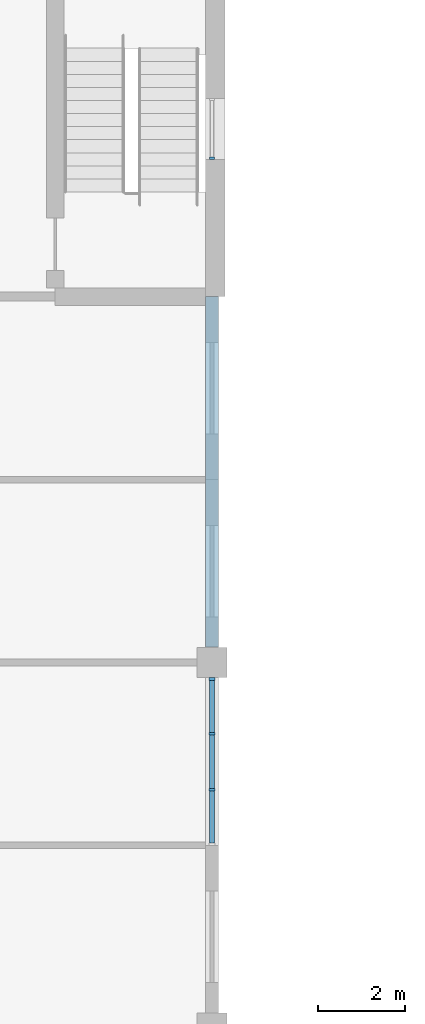
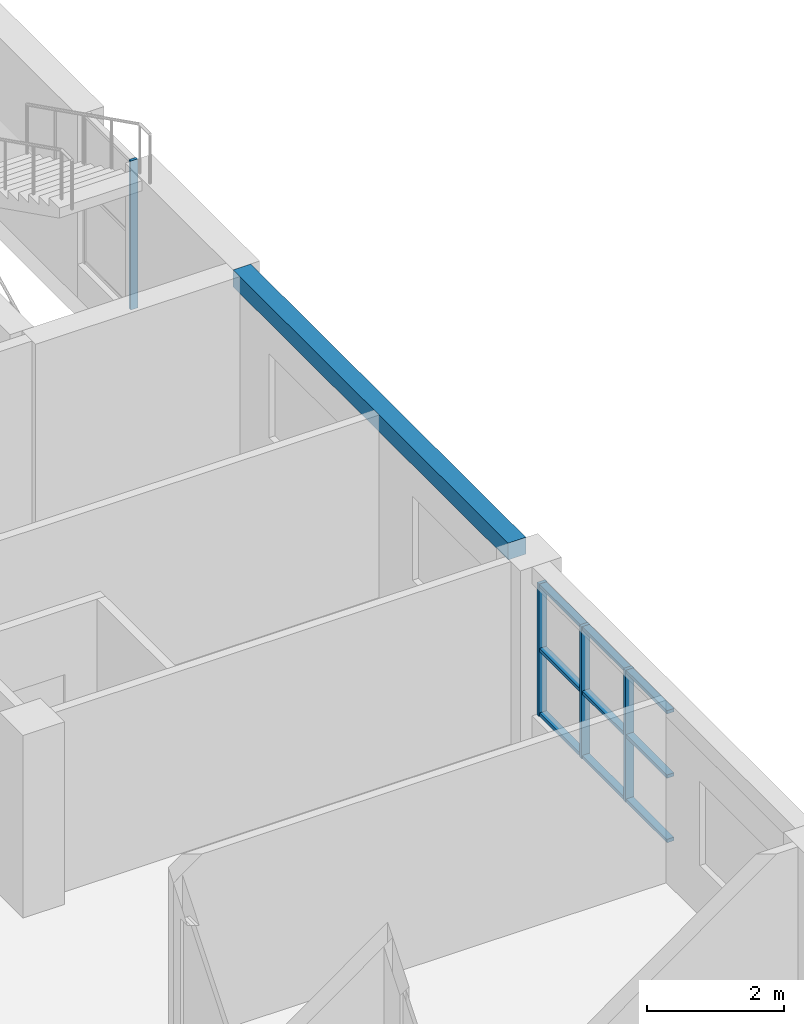
# One storey, part 10 of 45: 13 members, 1 beam, 2 elements without a shape of their own.
"""IFC4 building model written with IfcOpenShell, lengths in metres."""

from ifc_helpers import new_model, si_unit, direction, frame, origin, origin_2d, place, context, subcontext, project, spatial, rectangle, extrude, material, material_profile, profile_set, type_object, element, aggregate, save


model = new_model("IFC4")

# Units and contexts
model_context = context("Model", 3, precision=1e-05, world=origin(), true_north=direction((0.0, 1.0)))
body_context = subcontext(model_context, "Body", "Model", "MODEL_VIEW")
ifc_project = project(units=[si_unit("LENGTHUNIT", "METRE"), si_unit("AREAUNIT", "SQUARE_METRE"), si_unit("VOLUMEUNIT", "CUBIC_METRE"), si_unit("PLANEANGLEUNIT", "RADIAN"), si_unit("MASSUNIT", "GRAM", prefix="KILO")], contexts=[model_context])

# Site, building, storey
site_placement = place(None, origin())
site = spatial("IfcSite", under=ifc_project, at=site_placement, CompositionType="ELEMENT")
building_placement = place(site_placement, origin())
building = spatial("IfcBuilding", under=site, at=building_placement, Name="Yavir Park General Hospital", CompositionType="ELEMENT")
storey_placement = place(building_placement, frame((0.0, 0.0, 22.5)))
storey = spatial("IfcBuildingStorey", under=building, at=storey_placement, Name="L05", CompositionType="ELEMENT", Elevation=22.5)

# Curtain wall, members
ifc_material_1 = material(Name="Aluminium curtain wall frame with insulated glazing", Category="aluminium")
curtain_wall_type_1 = type_object("IfcCurtainWallType", Name="Day room pocket glazing, ward floors, 2360 high, 1400 module", PredefinedType="NOTDEFINED", material=ifc_material_1)
curtain_wall_1_placement = place(storey_placement, origin())
curtain_wall_1 = element("IfcCurtainWall", 1, at=curtain_wall_1_placement, inside=storey, type_object=curtain_wall_type_1, Name="CW6 L05-022", PredefinedType="NOTDEFINED")
ifc_material_2 = material(Name="Aluminium", Category="aluminium")
ifc_material_profile_1 = material_profile(ifc_material_2, rectangle(XDim=0.139892578125, YDim=0.06005859375, at=origin_2d()), Name="AL 60x140")
ifc_profile_set_1 = profile_set([ifc_material_profile_1], Name="Aluminium")
member_type_1 = type_object("IfcMemberType", Name="Day room pocket glazing, ward floors, 2360 high mullion 60 x 140", PredefinedType="MULLION", material=ifc_profile_set_1)
member_1_placement = place(storey_placement, frame((25.199951171875, 64.283447265625, 0.60009765625), z_axis=(0.0, 0.0, 1.0), x_axis=(-1.0, 0.0, 0.0)))
member_1 = element("IfcMember", 2, at=member_1_placement, type_object=member_type_1, Name="CW6 mullion 2", PredefinedType="MULLION", context=body_context, shape_type="SweptSolid", body=[
    extrude(rectangle(XDim=0.139892578125, YDim=0.06005859375, at=origin_2d()), origin(), (0.0, 0.0, 1.0), 2.35986328125),
])
member_2_placement = place(storey_placement, frame((25.199951171875, 65.566650390625, 0.60009765625), z_axis=(0.0, 0.0, 1.0), x_axis=(-1.0, 0.0, 0.0)))
member_2 = element("IfcMember", 3, at=member_2_placement, type_object=member_type_1, Name="CW6 mullion 3", PredefinedType="MULLION", context=body_context, shape_type="SweptSolid", body=[
    extrude(rectangle(XDim=0.139892578125, YDim=0.06005859375, at=origin_2d()), origin(), (0.0, 0.0, 1.0), 2.35986328125),
])
member_3_placement = place(storey_placement, frame((25.199951171875, 66.820068359375, 0.60009765625), z_axis=(0.0, 0.0, 1.0), x_axis=(-1.0, 0.0, 0.0)))
member_3 = element("IfcMember", 4, at=member_3_placement, type_object=member_type_1, Name="CW6 mullion 4", PredefinedType="MULLION", context=body_context, shape_type="SweptSolid", body=[
    extrude(rectangle(XDim=0.139892578125, YDim=0.06005859375, at=origin_2d()), origin(), (0.0, 0.0, 1.0), 2.35986328125),
])
ifc_material_3 = material(Name="Aluminium", Category="aluminium")
ifc_material_profile_2 = material_profile(ifc_material_3, rectangle(XDim=0.1201171875, YDim=0.06005859375, at=origin_2d()), Name="AL 120x60")
ifc_profile_set_2 = profile_set([ifc_material_profile_2], Name="Aluminium")
member_type_2 = type_object("IfcMemberType", Name="Day room pocket glazing, ward floors, 2360 high transom 60 x 120", PredefinedType="MULLION", material=ifc_profile_set_2)
member_4_placement = place(storey_placement, frame((25.199951171875, 63.06005859375, 0.6298828125), z_axis=(0.0, 1.0, 0.0), x_axis=(-1.0, 0.0, 0.0)))
member_4 = element("IfcMember", 5, at=member_4_placement, type_object=member_type_2, Name="CW6 transom 1.1", PredefinedType="MULLION", context=body_context, shape_type="SweptSolid", body=[
    extrude(rectangle(XDim=0.1201171875, YDim=0.06005859375, at=origin_2d()), origin(), (0.0, 0.0, 1.0), 1.193359375),
])
member_5_placement = place(storey_placement, frame((25.199951171875, 63.06005859375, 1.780029296875), z_axis=(0.0, 1.0, 0.0), x_axis=(-1.0, 0.0, 0.0)))
member_5 = element("IfcMember", 6, at=member_5_placement, type_object=member_type_2, Name="CW6 transom 1.2", PredefinedType="MULLION", context=body_context, shape_type="SweptSolid", body=[
    extrude(rectangle(XDim=0.1201171875, YDim=0.06005859375, at=origin_2d()), origin(), (0.0, 0.0, 1.0), 1.193359375),
])
member_6_placement = place(storey_placement, frame((25.199951171875, 63.06005859375, 2.929931640625), z_axis=(0.0, 1.0, 0.0), x_axis=(-1.0, 0.0, 0.0)))
member_6 = element("IfcMember", 7, at=member_6_placement, type_object=member_type_2, Name="CW6 transom 1.3", PredefinedType="MULLION", context=body_context, shape_type="SweptSolid", body=[
    extrude(rectangle(XDim=0.1201171875, YDim=0.06005859375, at=origin_2d()), origin(), (0.0, 0.0, 1.0), 1.193359375),
])
member_7_placement = place(storey_placement, frame((25.199951171875, 64.313232421875, 0.6298828125), z_axis=(0.0, 1.0, 0.0), x_axis=(-1.0, 0.0, 0.0)))
member_7 = element("IfcMember", 8, at=member_7_placement, type_object=member_type_2, Name="CW6 transom 2.1", PredefinedType="MULLION", context=body_context, shape_type="SweptSolid", body=[
    extrude(rectangle(XDim=0.1201171875, YDim=0.06005859375, at=origin_2d()), origin(), (0.0, 0.0, 1.0), 1.223388671875),
])
member_8_placement = place(storey_placement, frame((25.199951171875, 64.313232421875, 1.780029296875), z_axis=(0.0, 1.0, 0.0), x_axis=(-1.0, 0.0, 0.0)))
member_8 = element("IfcMember", 9, at=member_8_placement, type_object=member_type_2, Name="CW6 transom 2.2", PredefinedType="MULLION", context=body_context, shape_type="SweptSolid", body=[
    extrude(rectangle(XDim=0.1201171875, YDim=0.06005859375, at=origin_2d()), origin(), (0.0, 0.0, 1.0), 1.223388671875),
])
member_9_placement = place(storey_placement, frame((25.199951171875, 64.313232421875, 2.929931640625), z_axis=(0.0, 1.0, 0.0), x_axis=(-1.0, 0.0, 0.0)))
member_9 = element("IfcMember", 10, at=member_9_placement, type_object=member_type_2, Name="CW6 transom 2.3", PredefinedType="MULLION", context=body_context, shape_type="SweptSolid", body=[
    extrude(rectangle(XDim=0.1201171875, YDim=0.06005859375, at=origin_2d()), origin(), (0.0, 0.0, 1.0), 1.223388671875),
])
member_10_placement = place(storey_placement, frame((25.199951171875, 65.5966796875, 0.6298828125), z_axis=(0.0, 1.0, 0.0), x_axis=(-1.0, 0.0, 0.0)))
member_10 = element("IfcMember", 11, at=member_10_placement, type_object=member_type_2, Name="CW6 transom 3.1", PredefinedType="MULLION", context=body_context, shape_type="SweptSolid", body=[
    extrude(rectangle(XDim=0.1201171875, YDim=0.06005859375, at=origin_2d()), origin(), (0.0, 0.0, 1.0), 1.193359375),
])
member_11_placement = place(storey_placement, frame((25.199951171875, 65.5966796875, 1.780029296875), z_axis=(0.0, 1.0, 0.0), x_axis=(-1.0, 0.0, 0.0)))
member_11 = element("IfcMember", 12, at=member_11_placement, type_object=member_type_2, Name="CW6 transom 3.2", PredefinedType="MULLION", context=body_context, shape_type="SweptSolid", body=[
    extrude(rectangle(XDim=0.1201171875, YDim=0.06005859375, at=origin_2d()), origin(), (0.0, 0.0, 1.0), 1.193359375),
])
member_12_placement = place(storey_placement, frame((25.199951171875, 65.5966796875, 2.929931640625), z_axis=(0.0, 1.0, 0.0), x_axis=(-1.0, 0.0, 0.0)))
member_12 = element("IfcMember", 13, at=member_12_placement, type_object=member_type_2, Name="CW6 transom 3.3", PredefinedType="MULLION", context=body_context, shape_type="SweptSolid", body=[
    extrude(rectangle(XDim=0.1201171875, YDim=0.06005859375, at=origin_2d()), origin(), (0.0, 0.0, 1.0), 1.193359375),
])
aggregate(curtain_wall_1, [member_1, member_2, member_3, member_4, member_5, member_6, member_7, member_8, member_9, member_10, member_11, member_12])

# Beam
ifc_material_4 = material(Name="Concrete C35/45", Category="concrete")
ifc_material_profile_3 = material_profile(ifc_material_4, rectangle(XDim=0.300048828125, YDim=0.300048828125, at=origin_2d()), Name="RC300x300")
ifc_profile_set_3 = profile_set([ifc_material_profile_3], Name="Concrete C35/45")
beam_type = type_object("IfcBeamType", Name="RC BEAM 300x300 edge beam", PredefinedType="BEAM", material=ifc_profile_set_3)
beam_placement = place(storey_placement, frame((25.199951171875, 67.550048828125, 3.110107421875), z_axis=(0.0, 1.0, 0.0), x_axis=(-1.0, 0.0, 0.0)))
element("IfcBeam", 14, at=beam_placement, inside=storey, type_object=beam_type, Name="B:EDGE:L05:031", PredefinedType="BEAM", context=body_context, shape_type="SweptSolid", body=[
    extrude(rectangle(XDim=0.300048828125, YDim=0.300048828125, at=origin_2d()), origin(), (0.0, 0.0, 1.0), 8.050048828125),
])

# Curtain wall, member
ifc_material_5 = material(Name="Aluminium curtain wall frame with insulated glazing", Category="aluminium")
curtain_wall_type_2 = type_object("IfcCurtainWallType", Name="Stair light slot, ward floors, 2660 high, 1400 module", PredefinedType="NOTDEFINED", material=ifc_material_5)
curtain_wall_2_placement = place(storey_placement, origin())
curtain_wall_2 = element("IfcCurtainWall", 15, at=curtain_wall_2_placement, inside=storey, type_object=curtain_wall_type_2, Name="CW10 L05-023", PredefinedType="NOTDEFINED")
ifc_material_6 = material(Name="Aluminium", Category="aluminium")
ifc_material_profile_4 = material_profile(ifc_material_6, rectangle(XDim=0.1201171875, YDim=0.050048828125, at=origin_2d()), Name="AL 50x120")
ifc_profile_set_4 = profile_set([ifc_material_profile_4], Name="Aluminium")
member_type_3 = type_object("IfcMemberType", Name="Stair light slot, ward floors, 2660 high mullion 50 x 120", PredefinedType="MULLION", material=ifc_profile_set_4)
member_13_placement = place(storey_placement, frame((25.199951171875, 78.77490234375, 0.60009765625), z_axis=(0.0, 0.0, 1.0), x_axis=(-1.0, 0.0, 0.0)))
member_13 = element("IfcMember", 16, at=member_13_placement, type_object=member_type_3, Name="CW10 mullion 1", PredefinedType="MULLION", context=body_context, shape_type="SweptSolid", body=[
    extrude(rectangle(XDim=0.1201171875, YDim=0.050048828125, at=origin_2d()), origin(), (0.0, 0.0, 1.0), 2.659912109375),
])
aggregate(curtain_wall_2, [member_13])

save(model, "model.ifc")
